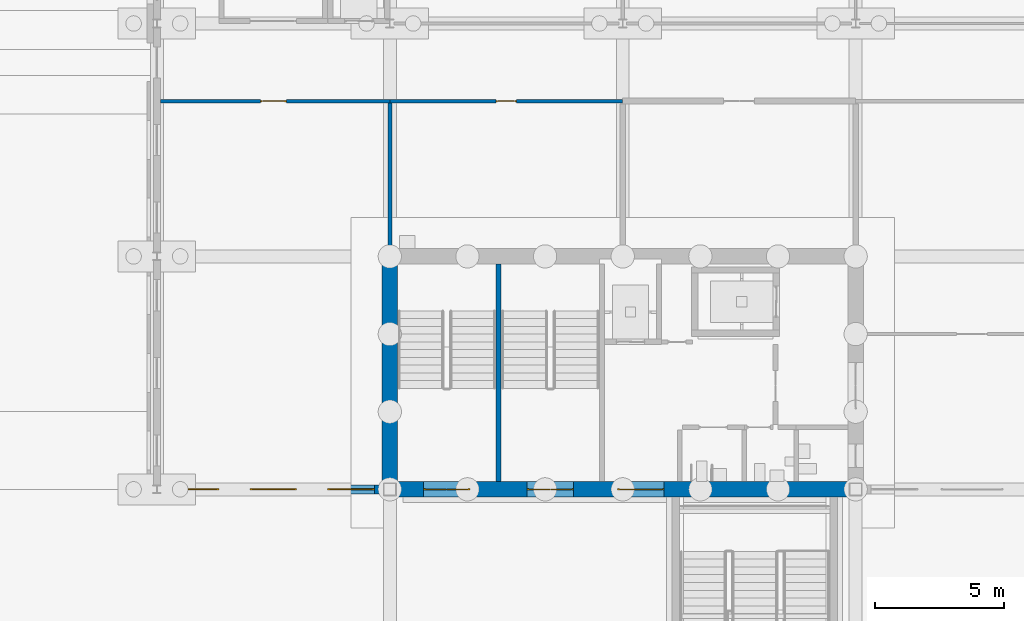
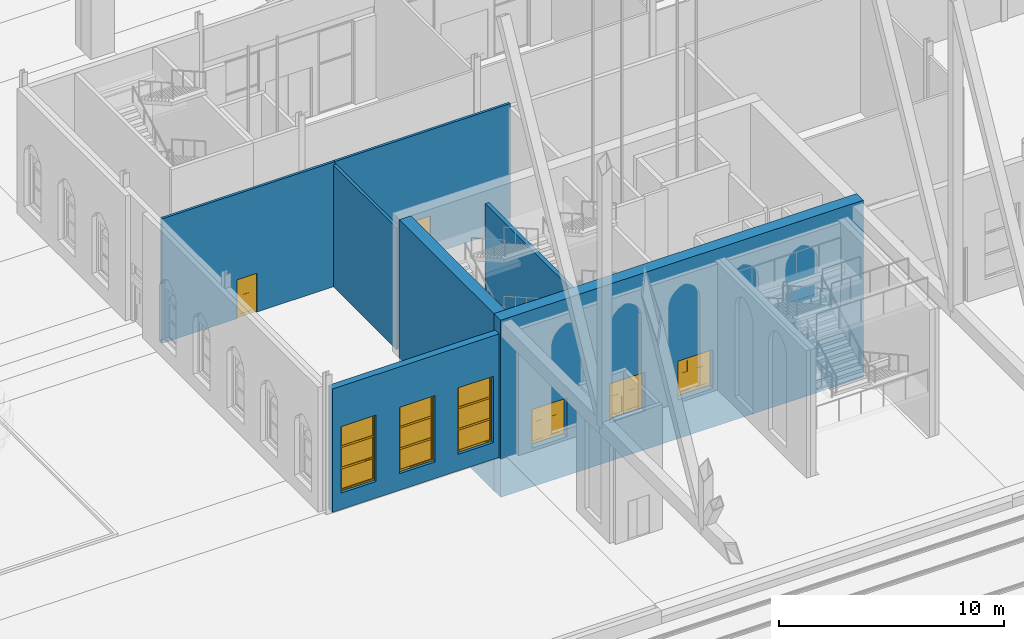
# One storey, part 107 of 250: 7 walls, 5 doors, 3 windows, 8 openings.
"""IFC4 building model written with IfcOpenShell, lengths in metres."""

from ifc_helpers import new_model, si_unit, direction, frame, frame_2d, origin, place, context, subcontext, project, spatial, polyline, rectangle, outline, extrude, material, layer, layer_set, type_object, element, fill, save


model = new_model("IFC4")

# Units and contexts
model_context = context("Model", 3, precision=1e-05, world=origin(), true_north=direction((0.0, 1.0)))
body_context = subcontext(model_context, "Body", "Model", "MODEL_VIEW")
ifc_project = project(units=[si_unit("LENGTHUNIT", "METRE"), si_unit("AREAUNIT", "SQUARE_METRE"), si_unit("VOLUMEUNIT", "CUBIC_METRE"), si_unit("PLANEANGLEUNIT", "RADIAN"), si_unit("MASSUNIT", "GRAM", prefix="KILO")], contexts=[model_context])

# Site, building, storey
site_placement = place(None, origin())
site = spatial("IfcSite", under=ifc_project, at=site_placement, CompositionType="ELEMENT")
building_placement = place(site_placement, origin())
building = spatial("IfcBuilding", under=site, at=building_placement, Name="Baradari Gate Terminus", CompositionType="ELEMENT")
storey_placement = place(building_placement, origin())
storey = spatial("IfcBuildingStorey", under=building, at=storey_placement, Name="L00", CompositionType="ELEMENT", Elevation=0.0)

# Wall, openings, doors
ifc_material_1 = material(Name="Concrete C40/50", Category="concrete")
ifc_layer_1 = layer(ifc_material_1, 0.60009765625)
ifc_layer_set_1 = layer_set([ifc_layer_1], Name="Concrete C40/50")
wall_type_1 = type_object("IfcWallType", Name="Abutment core wall CWL04 600", PredefinedType="SOLIDWALL", material=ifc_layer_set_1)
wall_1_placement = place(storey_placement, frame((71.699951171875, 81.0, -2.10009765625), z_axis=(0.0, 0.0, 1.0), x_axis=(1.0, 0.0, 0.0)))
wall_1 = element("IfcWall", 1, at=wall_1_placement, inside=storey, type_object=wall_type_1, Name="Abutment core wall GN S L00", PredefinedType="SOLIDWALL", context=body_context, shape_type="SweptSolid", body=[
    extrude(rectangle(XDim=18.60009765625, YDim=0.60009765625, at=frame_2d((9.300048828125, 0.0))), origin(), (0.0, 0.0, 1.0), 9.60009765625),
])
opening_1_placement = place(wall_1_placement, frame((1.60009765625, 0.0, 2.10009765625)))
opening_1 = element("IfcOpeningElement", 2, at=opening_1_placement, cuts=wall_1, Name="Opening D00-152", PredefinedType="OPENING", context=body_context, shape_type="SweptSolid", body=[
    extrude(rectangle(XDim=1.800048828125, YDim=2.10009765625, at=frame_2d((0.89990234375, 1.050048828125))), frame((0.0, 0.31005859375, 0.0), z_axis=(0.0, -1.0, 0.0), x_axis=(1.0, 0.0, 0.0)), (0.0, 0.0, 1.0), 0.6201171875),
])
opening_2_placement = place(wall_1_placement, frame((5.60009765625, 0.0, 2.10009765625)))
opening_2 = element("IfcOpeningElement", 3, at=opening_2_placement, cuts=wall_1, Name="Opening D00-153", PredefinedType="OPENING", context=body_context, shape_type="SweptSolid", body=[
    extrude(rectangle(XDim=1.800048828125, YDim=2.10009765625, at=frame_2d((0.89990234375, 1.050048828125))), frame((0.0, 0.31005859375, 0.0), z_axis=(0.0, -1.0, 0.0), x_axis=(1.0, 0.0, 0.0)), (0.0, 0.0, 1.0), 0.6201171875),
])
opening_3_placement = place(wall_1_placement, frame((9.10009765625, 0.0, 2.10009765625)))
opening_3 = element("IfcOpeningElement", 4, at=opening_3_placement, cuts=wall_1, Name="Opening D00-154", PredefinedType="OPENING", context=body_context, shape_type="SweptSolid", body=[
    extrude(rectangle(XDim=1.800048828125, YDim=2.10009765625, at=frame_2d((0.89990234375, 1.050048828125))), frame((0.0, 0.31005859375, 0.0), z_axis=(0.0, -1.0, 0.0), x_axis=(1.0, 0.0, 0.0)), (0.0, 0.0, 1.0), 0.6201171875),
])
ifc_material_2 = material(Name="Steel S275", Category="steel")
door_type_1 = type_object("IfcDoorType", Name="Fire door FI-1800-FD90S 1800x2100 FD90S", OperationType="DOUBLE_DOOR_SINGLE_SWING", PredefinedType="DOOR", material=ifc_material_2)
door_1_placement = place(opening_1_placement, frame((1.800048828125, 0.0, 0.0), z_axis=(0.0, 0.0, 1.0), x_axis=(-1.0, 0.0, 0.0)))
door_1 = element("IfcDoor", 5, at=door_1_placement, inside=storey, type_object=door_type_1, Name="Door Stair (Gate North) 1", OperationType="DOUBLE_DOOR_SINGLE_SWING", OverallHeight=2.1, OverallWidth=1.8, PredefinedType="DOOR", context=body_context, shape_type="SweptSolid", body=[
    extrude(outline(polyline([(0.0, 0.0), (0.070068359375, 0.0), (0.070068359375, 2.030029296875), (1.72998046875, 2.030029296875), (1.72998046875, 0.0), (1.800048828125, 0.0), (1.800048828125, 2.10009765625), (0.0, 2.10009765625), (0.0, 0.0)])), frame((0.0, 0.02490234375, 0.0), z_axis=(0.0, -1.0, 0.0), x_axis=(1.0, 0.0, 0.0)), (0.0, 0.0, 1.0), 0.050048828125),
    extrude(outline(polyline([(0.073974609375, 0.010009765625), (0.89697265625, 0.010009765625), (0.89697265625, 2.026123046875), (0.073974609375, 2.026123046875), (0.073974609375, 0.010009765625)]), holes=[polyline([(0.194091796875, 0.159912109375), (0.77685546875, 0.159912109375), (0.77685546875, 1.010009765625), (0.194091796875, 1.010009765625), (0.194091796875, 0.159912109375)]), polyline([(0.33544921875, 1.159912109375), (0.635498046875, 1.159912109375), (0.635498046875, 1.760009765625), (0.33544921875, 1.760009765625), (0.33544921875, 1.159912109375)])]), frame((0.0, 0.017333984375, 0.0), z_axis=(0.0, -1.0, 0.0), x_axis=(1.0, 0.0, 0.0)), (0.0, 0.0, 1.0), 0.034912109375),
    extrude(rectangle(XDim=0.582763671875, YDim=0.85009765625, at=frame_2d((0.4853515625, 0.5849609375))), frame((0.0, 0.008544921875, 0.0), z_axis=(0.0, -1.0, 0.0), x_axis=(1.0, 0.0, 0.0)), (0.0, 0.0, 1.0), 0.017333984375),
    extrude(rectangle(XDim=0.300048828125, YDim=0.60009765625, at=frame_2d((0.4853515625, 1.4599609375))), frame((0.0, 0.005859375, 0.0), z_axis=(0.0, -1.0, 0.0), x_axis=(1.0, 0.0, 0.0)), (0.0, 0.0, 1.0), 0.011962890625),
    extrude(outline(polyline([(0.903076171875, 0.010009765625), (1.72607421875, 0.010009765625), (1.72607421875, 2.026123046875), (0.903076171875, 2.026123046875), (0.903076171875, 0.010009765625)]), holes=[polyline([(1.023193359375, 0.159912109375), (1.60595703125, 0.159912109375), (1.60595703125, 1.010009765625), (1.023193359375, 1.010009765625), (1.023193359375, 0.159912109375)]), polyline([(1.16455078125, 1.159912109375), (1.464599609375, 1.159912109375), (1.464599609375, 1.760009765625), (1.16455078125, 1.760009765625), (1.16455078125, 1.159912109375)])]), frame((0.0, 0.017333984375, 0.0), z_axis=(0.0, -1.0, 0.0), x_axis=(1.0, 0.0, 0.0)), (0.0, 0.0, 1.0), 0.034912109375),
    extrude(rectangle(XDim=0.582763671875, YDim=0.85009765625, at=frame_2d((1.314453125, 0.5849609375))), frame((0.0, 0.008544921875, 0.0), z_axis=(0.0, -1.0, 0.0), x_axis=(1.0, 0.0, 0.0)), (0.0, 0.0, 1.0), 0.017333984375),
    extrude(rectangle(XDim=0.300048828125, YDim=0.60009765625, at=frame_2d((1.314453125, 1.4599609375))), frame((0.0, 0.005859375, 0.0), z_axis=(0.0, -1.0, 0.0), x_axis=(1.0, 0.0, 0.0)), (0.0, 0.0, 1.0), 0.011962890625),
])
fill(opening_1, door_1)
door_2_placement = place(opening_2_placement, frame((1.800048828125, 0.0, 0.0), z_axis=(0.0, 0.0, 1.0), x_axis=(-1.0, 0.0, 0.0)))
door_2 = element("IfcDoor", 6, at=door_2_placement, inside=storey, type_object=door_type_1, Name="Door Stair (Gate North) 2", OperationType="DOUBLE_DOOR_SINGLE_SWING", OverallHeight=2.1, OverallWidth=1.8, PredefinedType="DOOR", context=body_context, shape_type="SweptSolid", body=[
    extrude(outline(polyline([(0.0, 0.0), (0.070068359375, 0.0), (0.070068359375, 2.030029296875), (1.72998046875, 2.030029296875), (1.72998046875, 0.0), (1.800048828125, 0.0), (1.800048828125, 2.10009765625), (0.0, 2.10009765625), (0.0, 0.0)])), frame((0.0, 0.02490234375, 0.0), z_axis=(0.0, -1.0, 0.0), x_axis=(1.0, 0.0, 0.0)), (0.0, 0.0, 1.0), 0.050048828125),
    extrude(outline(polyline([(0.073974609375, 0.010009765625), (0.89697265625, 0.010009765625), (0.89697265625, 2.026123046875), (0.073974609375, 2.026123046875), (0.073974609375, 0.010009765625)]), holes=[polyline([(0.194091796875, 0.159912109375), (0.77685546875, 0.159912109375), (0.77685546875, 1.010009765625), (0.194091796875, 1.010009765625), (0.194091796875, 0.159912109375)]), polyline([(0.33544921875, 1.159912109375), (0.635498046875, 1.159912109375), (0.635498046875, 1.760009765625), (0.33544921875, 1.760009765625), (0.33544921875, 1.159912109375)])]), frame((0.0, 0.017333984375, 0.0), z_axis=(0.0, -1.0, 0.0), x_axis=(1.0, 0.0, 0.0)), (0.0, 0.0, 1.0), 0.034912109375),
    extrude(rectangle(XDim=0.582763671875, YDim=0.85009765625, at=frame_2d((0.4853515625, 0.5849609375))), frame((0.0, 0.008544921875, 0.0), z_axis=(0.0, -1.0, 0.0), x_axis=(1.0, 0.0, 0.0)), (0.0, 0.0, 1.0), 0.017333984375),
    extrude(rectangle(XDim=0.300048828125, YDim=0.60009765625, at=frame_2d((0.4853515625, 1.4599609375))), frame((0.0, 0.005859375, 0.0), z_axis=(0.0, -1.0, 0.0), x_axis=(1.0, 0.0, 0.0)), (0.0, 0.0, 1.0), 0.011962890625),
    extrude(outline(polyline([(0.903076171875, 0.010009765625), (1.72607421875, 0.010009765625), (1.72607421875, 2.026123046875), (0.903076171875, 2.026123046875), (0.903076171875, 0.010009765625)]), holes=[polyline([(1.023193359375, 0.159912109375), (1.60595703125, 0.159912109375), (1.60595703125, 1.010009765625), (1.023193359375, 1.010009765625), (1.023193359375, 0.159912109375)]), polyline([(1.16455078125, 1.159912109375), (1.464599609375, 1.159912109375), (1.464599609375, 1.760009765625), (1.16455078125, 1.760009765625), (1.16455078125, 1.159912109375)])]), frame((0.0, 0.017333984375, 0.0), z_axis=(0.0, -1.0, 0.0), x_axis=(1.0, 0.0, 0.0)), (0.0, 0.0, 1.0), 0.034912109375),
    extrude(rectangle(XDim=0.582763671875, YDim=0.85009765625, at=frame_2d((1.314453125, 0.5849609375))), frame((0.0, 0.008544921875, 0.0), z_axis=(0.0, -1.0, 0.0), x_axis=(1.0, 0.0, 0.0)), (0.0, 0.0, 1.0), 0.017333984375),
    extrude(rectangle(XDim=0.300048828125, YDim=0.60009765625, at=frame_2d((1.314453125, 1.4599609375))), frame((0.0, 0.005859375, 0.0), z_axis=(0.0, -1.0, 0.0), x_axis=(1.0, 0.0, 0.0)), (0.0, 0.0, 1.0), 0.011962890625),
])
fill(opening_2, door_2)
door_3_placement = place(opening_3_placement, origin())
door_3 = element("IfcDoor", 7, at=door_3_placement, inside=storey, type_object=door_type_1, Name="Door Lift Lobby", OperationType="DOUBLE_DOOR_SINGLE_SWING", OverallHeight=2.1, OverallWidth=1.8, PredefinedType="DOOR", context=body_context, shape_type="SweptSolid", body=[
    extrude(outline(polyline([(0.0, 0.0), (0.070068359375, 0.0), (0.070068359375, 2.030029296875), (1.72998046875, 2.030029296875), (1.72998046875, 0.0), (1.800048828125, 0.0), (1.800048828125, 2.10009765625), (0.0, 2.10009765625), (0.0, 0.0)])), frame((0.0, 0.02490234375, 0.0), z_axis=(0.0, -1.0, 0.0), x_axis=(1.0, 0.0, 0.0)), (0.0, 0.0, 1.0), 0.050048828125),
    extrude(outline(polyline([(0.073974609375, 0.010009765625), (0.89697265625, 0.010009765625), (0.89697265625, 2.026123046875), (0.073974609375, 2.026123046875), (0.073974609375, 0.010009765625)]), holes=[polyline([(0.194091796875, 0.159912109375), (0.77685546875, 0.159912109375), (0.77685546875, 1.010009765625), (0.194091796875, 1.010009765625), (0.194091796875, 0.159912109375)]), polyline([(0.33544921875, 1.159912109375), (0.635498046875, 1.159912109375), (0.635498046875, 1.760009765625), (0.33544921875, 1.760009765625), (0.33544921875, 1.159912109375)])]), frame((0.0, 0.017333984375, 0.0), z_axis=(0.0, -1.0, 0.0), x_axis=(1.0, 0.0, 0.0)), (0.0, 0.0, 1.0), 0.034912109375),
    extrude(rectangle(XDim=0.582763671875, YDim=0.85009765625, at=frame_2d((0.4853515625, 0.5849609375))), frame((0.0, 0.008544921875, 0.0), z_axis=(0.0, -1.0, 0.0), x_axis=(1.0, 0.0, 0.0)), (0.0, 0.0, 1.0), 0.017333984375),
    extrude(rectangle(XDim=0.300048828125, YDim=0.60009765625, at=frame_2d((0.4853515625, 1.4599609375))), frame((0.0, 0.005859375, 0.0), z_axis=(0.0, -1.0, 0.0), x_axis=(1.0, 0.0, 0.0)), (0.0, 0.0, 1.0), 0.011962890625),
    extrude(outline(polyline([(0.903076171875, 0.010009765625), (1.72607421875, 0.010009765625), (1.72607421875, 2.026123046875), (0.903076171875, 2.026123046875), (0.903076171875, 0.010009765625)]), holes=[polyline([(1.023193359375, 0.159912109375), (1.60595703125, 0.159912109375), (1.60595703125, 1.010009765625), (1.023193359375, 1.010009765625), (1.023193359375, 0.159912109375)]), polyline([(1.16455078125, 1.159912109375), (1.464599609375, 1.159912109375), (1.464599609375, 1.760009765625), (1.16455078125, 1.760009765625), (1.16455078125, 1.159912109375)])]), frame((0.0, 0.017333984375, 0.0), z_axis=(0.0, -1.0, 0.0), x_axis=(1.0, 0.0, 0.0)), (0.0, 0.0, 1.0), 0.034912109375),
    extrude(rectangle(XDim=0.582763671875, YDim=0.85009765625, at=frame_2d((1.314453125, 0.5849609375))), frame((0.0, 0.008544921875, 0.0), z_axis=(0.0, -1.0, 0.0), x_axis=(1.0, 0.0, 0.0)), (0.0, 0.0, 1.0), 0.017333984375),
    extrude(rectangle(XDim=0.300048828125, YDim=0.60009765625, at=frame_2d((1.314453125, 1.4599609375))), frame((0.0, 0.005859375, 0.0), z_axis=(0.0, -1.0, 0.0), x_axis=(1.0, 0.0, 0.0)), (0.0, 0.0, 1.0), 0.011962890625),
])
fill(opening_3, door_3)

# Wall
wall_2_placement = place(storey_placement, frame((72.0, 81.300048828125, -2.10009765625), z_axis=(0.0, 0.0, 1.0), x_axis=(0.0, 1.0, 0.0)))
element("IfcWall", 8, at=wall_2_placement, inside=storey, type_object=wall_type_1, Name="Abutment core wall GN W L00", PredefinedType="SOLIDWALL", context=body_context, shape_type="SweptSolid", body=[
    extrude(rectangle(XDim=8.39990234375, YDim=0.60009765625, at=frame_2d((4.199951171875, 0.0))), origin(), (0.0, 0.0, 1.0), 9.60009765625),
])

# Wall, opening, door
ifc_material_3 = material(Name="Gypsum board")
ifc_layer_2 = layer(ifc_material_3, 0.125)
ifc_layer_set_2 = layer_set([ifc_layer_2], Name="Gypsum board")
wall_type_2 = type_object("IfcWallType", Name="Corridor partition PT-5 125 EI 30", PredefinedType="PARTITIONING", material=ifc_layer_set_2)
wall_3_placement = place(storey_placement, frame((72.0, 96.0, 0.0), z_axis=(0.0, 0.0, 1.0), x_axis=(-1.0, 0.0, 0.0)))
wall_3 = element("IfcWall", 9, at=wall_3_placement, inside=storey, type_object=wall_type_2, Name="PT-5 partition Corridor (Service Corridor West) / Staff Room 1", PredefinedType="PARTITIONING", context=body_context, shape_type="SweptSolid", body=[
    extrude(rectangle(XDim=8.85791015625, YDim=0.125, at=frame_2d((4.428955078125, 0.0))), origin(), (0.0, 0.0, 1.0), 6.757080078125),
])
opening_4_placement = place(wall_3_placement, frame((4.0, 0.0, 0.0)))
opening_4 = element("IfcOpeningElement", 10, at=opening_4_placement, cuts=wall_3, Name="Opening D00-101", PredefinedType="OPENING", context=body_context, shape_type="SweptSolid", body=[
    extrude(rectangle(XDim=1.0, YDim=2.10009765625, at=frame_2d((0.5, 1.050048828125))), frame((0.0, 0.072509765625, 0.0), z_axis=(0.0, -1.0, 0.0), x_axis=(1.0, 0.0, 0.0)), (0.0, 0.0, 1.0), 0.14501953125),
])
ifc_material_4 = material(Name="Steel S275", Category="steel")
door_type_2 = type_object("IfcDoorType", Name="Fire door FI-1000-FD30S 1000x2100 FD30S", OperationType="SINGLE_SWING_LEFT", PredefinedType="DOOR", material=ifc_material_4)
door_4_placement = place(opening_4_placement, origin())
door_4 = element("IfcDoor", 11, at=door_4_placement, inside=storey, type_object=door_type_2, Name="Door Staff Room 1", OperationType="SINGLE_SWING_LEFT", OverallHeight=2.1, OverallWidth=1.0, PredefinedType="DOOR", context=body_context, shape_type="SweptSolid", body=[
    extrude(outline(polyline([(0.0, 0.0), (0.070068359375, 0.0), (0.070068359375, 2.030029296875), (0.929931640625, 2.030029296875), (0.929931640625, 0.0), (1.0, 0.0), (1.0, 2.10009765625), (0.0, 2.10009765625), (0.0, 0.0)])), frame((0.0, 0.02490234375, 0.0), z_axis=(0.0, -1.0, 0.0), x_axis=(1.0, 0.0, 0.0)), (0.0, 0.0, 1.0), 0.050048828125),
    extrude(outline(polyline([(0.073974609375, 0.010009765625), (0.926025390625, 0.010009765625), (0.926025390625, 2.026123046875), (0.073974609375, 2.026123046875), (0.073974609375, 0.010009765625)]), holes=[polyline([(0.194091796875, 0.159912109375), (0.805908203125, 0.159912109375), (0.805908203125, 1.010009765625), (0.194091796875, 1.010009765625), (0.194091796875, 0.159912109375)]), polyline([(0.35009765625, 1.159912109375), (0.64990234375, 1.159912109375), (0.64990234375, 1.760009765625), (0.35009765625, 1.760009765625), (0.35009765625, 1.159912109375)])]), frame((0.0, 0.017333984375, 0.0), z_axis=(0.0, -1.0, 0.0), x_axis=(1.0, 0.0, 0.0)), (0.0, 0.0, 1.0), 0.034912109375),
    extrude(rectangle(XDim=0.61181640625, YDim=0.85009765625, at=frame_2d((0.5, 0.5849609375))), frame((0.0, 0.008544921875, 0.0), z_axis=(0.0, -1.0, 0.0), x_axis=(1.0, 0.0, 0.0)), (0.0, 0.0, 1.0), 0.017333984375),
    extrude(rectangle(XDim=0.2998046875, YDim=0.60009765625, at=frame_2d((0.5, 1.4599609375))), frame((0.0, 0.005859375, 0.0), z_axis=(0.0, -1.0, 0.0), x_axis=(1.0, 0.0, 0.0)), (0.0, 0.0, 1.0), 0.011962890625),
])
fill(opening_4, door_4)

wall_4_placement = place(storey_placement, frame((81.0, 96.0, 0.0), z_axis=(0.0, 0.0, 1.0), x_axis=(-1.0, 0.0, 0.0)))
wall_4 = element("IfcWall", 12, at=wall_4_placement, inside=storey, type_object=wall_type_2, Name="PT-5 partition Corridor (Service Corridor West) / Cleaner's Store 1", PredefinedType="PARTITIONING", context=body_context, shape_type="SweptSolid", body=[
    extrude(rectangle(XDim=9.0, YDim=0.125, at=frame_2d((4.5, 0.0))), origin(), (0.0, 0.0, 1.0), 6.757080078125),
])
opening_5_placement = place(wall_4_placement, frame((4.10009765625, 0.0, 0.0)))
opening_5 = element("IfcOpeningElement", 13, at=opening_5_placement, cuts=wall_4, Name="Opening D00-102", PredefinedType="OPENING", context=body_context, shape_type="SweptSolid", body=[
    extrude(rectangle(XDim=0.800048828125, YDim=2.10009765625, at=frame_2d((0.39990234375, 1.050048828125))), frame((0.0, 0.072509765625, 0.0), z_axis=(0.0, -1.0, 0.0), x_axis=(1.0, 0.0, 0.0)), (0.0, 0.0, 1.0), 0.14501953125),
])
ifc_material_5 = material(Name="Steel S275", Category="steel")
door_type_3 = type_object("IfcDoorType", Name="Fire door FI-800-FD30S 800x2100 FD30S", OperationType="SINGLE_SWING_LEFT", PredefinedType="DOOR", material=ifc_material_5)
door_5_placement = place(opening_5_placement, origin())
door_5 = element("IfcDoor", 14, at=door_5_placement, inside=storey, type_object=door_type_3, Name="Door Cleaner's Store 1", OperationType="SINGLE_SWING_LEFT", OverallHeight=2.1, OverallWidth=0.8, PredefinedType="DOOR", context=body_context, shape_type="SweptSolid", body=[
    extrude(outline(polyline([(0.0, 0.0), (0.070068359375, 0.0), (0.070068359375, 2.030029296875), (0.72998046875, 2.030029296875), (0.72998046875, 0.0), (0.800048828125, 0.0), (0.800048828125, 2.10009765625), (0.0, 2.10009765625), (0.0, 0.0)])), frame((0.0, 0.02490234375, 0.0), z_axis=(0.0, -1.0, 0.0), x_axis=(1.0, 0.0, 0.0)), (0.0, 0.0, 1.0), 0.050048828125),
    extrude(outline(polyline([(0.073974609375, 0.010009765625), (0.72607421875, 0.010009765625), (0.72607421875, 2.026123046875), (0.073974609375, 2.026123046875), (0.073974609375, 0.010009765625)]), holes=[polyline([(0.194091796875, 0.159912109375), (0.60595703125, 0.159912109375), (0.60595703125, 1.010009765625), (0.194091796875, 1.010009765625), (0.194091796875, 0.159912109375)]), polyline([(0.25, 1.159912109375), (0.550048828125, 1.159912109375), (0.550048828125, 1.760009765625), (0.25, 1.760009765625), (0.25, 1.159912109375)])]), frame((0.0, 0.017333984375, 0.0), z_axis=(0.0, -1.0, 0.0), x_axis=(1.0, 0.0, 0.0)), (0.0, 0.0, 1.0), 0.034912109375),
    extrude(rectangle(XDim=0.411865234375, YDim=0.85009765625, at=frame_2d((0.39990234375, 0.5849609375))), frame((0.0, 0.008544921875, 0.0), z_axis=(0.0, -1.0, 0.0), x_axis=(1.0, 0.0, 0.0)), (0.0, 0.0, 1.0), 0.017333984375),
    extrude(rectangle(XDim=0.300048828125, YDim=0.60009765625, at=frame_2d((0.39990234375, 1.4599609375))), frame((0.0, 0.005859375, 0.0), z_axis=(0.0, -1.0, 0.0), x_axis=(1.0, 0.0, 0.0)), (0.0, 0.0, 1.0), 0.011962890625),
])
fill(opening_5, door_5)

# Wall
ifc_material_6 = material(Name="Blockwork wall, plastered", Category="masonry")
ifc_layer_3 = layer(ifc_material_6, 0.14990234375)
ifc_layer_set_3 = layer_set([ifc_layer_3], Name="Blockwork wall, plastered")
wall_type_3 = type_object("IfcWallType", Name="Partition PT-2 150 EI 60", PredefinedType="PARTITIONING", material=ifc_layer_set_3)
wall_5_placement = place(storey_placement, frame((72.0, 95.9375, 0.0), z_axis=(0.0, 0.0, 1.0), x_axis=(0.0, -1.0, 0.0)))
element("IfcWall", 15, at=wall_5_placement, inside=storey, type_object=wall_type_3, Name="PT-2 partition Staff Room 1 / Cleaner's Store 1", PredefinedType="PARTITIONING", context=body_context, shape_type="SweptSolid", body=[
    extrude(rectangle(XDim=5.635498046875, YDim=0.14990234375, at=frame_2d((2.81787109375, 0.0))), origin(), (0.0, 0.0, 1.0), 6.60009765625),
])

# Wall, openings, windows
ifc_material_7 = material(Name="Sandstone masonry", Category="masonry")
ifc_layer_4 = layer(ifc_material_7, 0.35009765625)
ifc_layer_set_4 = layer_set([ifc_layer_4], Name="Sandstone masonry")
wall_type_4 = type_object("IfcWallType", Name="Sandstone masonry wall WS-1 350", PredefinedType="SOLIDWALL", material=ifc_layer_set_4)
wall_6_placement = place(storey_placement, frame((63.15380859375, 81.0, 0.0), z_axis=(0.0, 0.0, 1.0), x_axis=(1.0, 0.0, 0.0)))
wall_6 = element("IfcWall", 16, at=wall_6_placement, inside=storey, type_object=wall_type_4, Name="platform side wall HS bay 8 L00", PredefinedType="SOLIDWALL", context=body_context, shape_type="SweptSolid", body=[
    extrude(rectangle(XDim=8.59619140625, YDim=0.35009765625, at=frame_2d((4.298095703125, 0.0))), origin(), (0.0, 0.0, 1.0), 6.692138671875),
])
opening_6_placement = place(wall_6_placement, frame((0.4462890625, 0.0, 0.89990234375)))
opening_6 = element("IfcOpeningElement", 17, at=opening_6_placement, cuts=wall_6, Name="Opening W3", PredefinedType="OPENING", context=body_context, shape_type="SweptSolid", body=[
    extrude(rectangle(XDim=1.800048828125, YDim=3.60009765625, at=frame_2d((0.89990234375, 1.800048828125))), frame((0.0, 0.18505859375, 0.0), z_axis=(0.0, -1.0, 0.0), x_axis=(1.0, 0.0, 0.0)), (0.0, 0.0, 1.0), 0.3701171875),
])
opening_7_placement = place(wall_6_placement, frame((3.4462890625, 0.0, 0.89990234375)))
opening_7 = element("IfcOpeningElement", 18, at=opening_7_placement, cuts=wall_6, Name="Opening W3", PredefinedType="OPENING", context=body_context, shape_type="SweptSolid", body=[
    extrude(rectangle(XDim=1.800048828125, YDim=3.60009765625, at=frame_2d((0.89990234375, 1.800048828125))), frame((0.0, 0.18505859375, 0.0), z_axis=(0.0, -1.0, 0.0), x_axis=(1.0, 0.0, 0.0)), (0.0, 0.0, 1.0), 0.3701171875),
])
opening_8_placement = place(wall_6_placement, frame((6.4462890625, 0.0, 0.89990234375)))
opening_8 = element("IfcOpeningElement", 19, at=opening_8_placement, cuts=wall_6, Name="Opening W3", PredefinedType="OPENING", context=body_context, shape_type="SweptSolid", body=[
    extrude(rectangle(XDim=1.800048828125, YDim=3.60009765625, at=frame_2d((0.89990234375, 1.800048828125))), frame((0.0, 0.18505859375, 0.0), z_axis=(0.0, -1.0, 0.0), x_axis=(1.0, 0.0, 0.0)), (0.0, 0.0, 1.0), 0.3701171875),
])
ifc_material_8 = material(Name="Aluminium 6063-T6", Category="aluminium")
window_type = type_object("IfcWindowType", Name="Tall window, 3-light W3 1800x3600", PartitioningType="TRIPLE_PANEL_HORIZONTAL", PredefinedType="WINDOW", material=ifc_material_8)
window_1_placement = place(opening_6_placement, origin())
window_1 = element("IfcWindow", 20, at=window_1_placement, inside=storey, type_object=window_type, Name="Window W3 HS/07", OverallHeight=3.6, OverallWidth=1.8, PartitioningType="TRIPLE_PANEL_HORIZONTAL", PredefinedType="WINDOW", context=body_context, shape_type="SweptSolid", body=[
    extrude(outline(polyline([(0.0, 0.0), (1.800048828125, 0.0), (1.800048828125, 3.60009765625), (0.0, 3.60009765625), (0.0, 0.0)]), holes=[polyline([(0.070068359375, 0.070068359375), (1.72998046875, 0.070068359375), (1.72998046875, 3.530029296875), (0.070068359375, 3.530029296875), (0.070068359375, 0.070068359375)])]), frame((0.0, 0.030029296875, 0.0), z_axis=(0.0, -1.0, 0.0), x_axis=(1.0, 0.0, 0.0)), (0.0, 0.0, 1.0), 0.06005859375),
    extrude(rectangle(XDim=1.659912109375, YDim=0.0400390625, at=frame_2d((0.89990234375, 1.216796875))), frame((0.0, 0.021484375, 0.0), z_axis=(0.0, -1.0, 0.0), x_axis=(1.0, 0.0, 0.0)), (0.0, 0.0, 1.0), 0.04296875),
    extrude(rectangle(XDim=1.659912109375, YDim=0.0400390625, at=frame_2d((0.89990234375, 2.38330078125))), frame((0.0, 0.021484375, 0.0), z_axis=(0.0, -1.0, 0.0), x_axis=(1.0, 0.0, 0.0)), (0.0, 0.0, 1.0), 0.04296875),
    extrude(outline(polyline([(0.070068359375, 0.070068359375), (1.72998046875, 0.070068359375), (1.72998046875, 1.19677734375), (0.070068359375, 1.19677734375), (0.070068359375, 0.070068359375)]), holes=[polyline([(0.10009765625, 0.10009765625), (1.699951171875, 0.10009765625), (1.699951171875, 1.166748046875), (0.10009765625, 1.166748046875), (0.10009765625, 0.10009765625)])]), frame((0.0, 0.0224609375, 0.0), z_axis=(0.0, -1.0, 0.0), x_axis=(1.0, 0.0, 0.0)), (0.0, 0.0, 1.0), 0.044921875),
    extrude(rectangle(XDim=1.599853515625, YDim=1.066650390625, at=frame_2d((0.89990234375, 0.63330078125))), frame((0.0, 0.006103515625, 0.0), z_axis=(0.0, -1.0, 0.0), x_axis=(1.0, 0.0, 0.0)), (0.0, 0.0, 1.0), 0.01220703125),
    extrude(outline(polyline([(0.070068359375, 1.23681640625), (1.72998046875, 1.23681640625), (1.72998046875, 2.36328125), (0.070068359375, 2.36328125), (0.070068359375, 1.23681640625)]), holes=[polyline([(0.10009765625, 1.266845703125), (1.699951171875, 1.266845703125), (1.699951171875, 2.333251953125), (0.10009765625, 2.333251953125), (0.10009765625, 1.266845703125)])]), frame((0.0, 0.0224609375, 0.0), z_axis=(0.0, -1.0, 0.0), x_axis=(1.0, 0.0, 0.0)), (0.0, 0.0, 1.0), 0.044921875),
    extrude(rectangle(XDim=1.599853515625, YDim=1.06640625, at=frame_2d((0.89990234375, 1.800048828125))), frame((0.0, 0.006103515625, 0.0), z_axis=(0.0, -1.0, 0.0), x_axis=(1.0, 0.0, 0.0)), (0.0, 0.0, 1.0), 0.01220703125),
    extrude(outline(polyline([(0.070068359375, 2.4033203125), (1.72998046875, 2.4033203125), (1.72998046875, 3.530029296875), (0.070068359375, 3.530029296875), (0.070068359375, 2.4033203125)]), holes=[polyline([(0.10009765625, 2.433349609375), (1.699951171875, 2.433349609375), (1.699951171875, 3.5), (0.10009765625, 3.5), (0.10009765625, 2.433349609375)])]), frame((0.0, 0.0224609375, 0.0), z_axis=(0.0, -1.0, 0.0), x_axis=(1.0, 0.0, 0.0)), (0.0, 0.0, 1.0), 0.044921875),
    extrude(rectangle(XDim=1.599853515625, YDim=1.066650390625, at=frame_2d((0.89990234375, 2.966796875))), frame((0.0, 0.006103515625, 0.0), z_axis=(0.0, -1.0, 0.0), x_axis=(1.0, 0.0, 0.0)), (0.0, 0.0, 1.0), 0.01220703125),
])
fill(opening_6, window_1)
window_2_placement = place(opening_7_placement, origin())
window_2 = element("IfcWindow", 21, at=window_2_placement, inside=storey, type_object=window_type, Name="Window W3 HS/07", OverallHeight=3.6, OverallWidth=1.8, PartitioningType="TRIPLE_PANEL_HORIZONTAL", PredefinedType="WINDOW", context=body_context, shape_type="SweptSolid", body=[
    extrude(outline(polyline([(0.0, 0.0), (1.800048828125, 0.0), (1.800048828125, 3.60009765625), (0.0, 3.60009765625), (0.0, 0.0)]), holes=[polyline([(0.070068359375, 0.070068359375), (1.72998046875, 0.070068359375), (1.72998046875, 3.530029296875), (0.070068359375, 3.530029296875), (0.070068359375, 0.070068359375)])]), frame((0.0, 0.030029296875, 0.0), z_axis=(0.0, -1.0, 0.0), x_axis=(1.0, 0.0, 0.0)), (0.0, 0.0, 1.0), 0.06005859375),
    extrude(rectangle(XDim=1.659912109375, YDim=0.0400390625, at=frame_2d((0.89990234375, 1.216796875))), frame((0.0, 0.021484375, 0.0), z_axis=(0.0, -1.0, 0.0), x_axis=(1.0, 0.0, 0.0)), (0.0, 0.0, 1.0), 0.04296875),
    extrude(rectangle(XDim=1.659912109375, YDim=0.0400390625, at=frame_2d((0.89990234375, 2.38330078125))), frame((0.0, 0.021484375, 0.0), z_axis=(0.0, -1.0, 0.0), x_axis=(1.0, 0.0, 0.0)), (0.0, 0.0, 1.0), 0.04296875),
    extrude(outline(polyline([(0.070068359375, 0.070068359375), (1.72998046875, 0.070068359375), (1.72998046875, 1.19677734375), (0.070068359375, 1.19677734375), (0.070068359375, 0.070068359375)]), holes=[polyline([(0.10009765625, 0.10009765625), (1.699951171875, 0.10009765625), (1.699951171875, 1.166748046875), (0.10009765625, 1.166748046875), (0.10009765625, 0.10009765625)])]), frame((0.0, 0.0224609375, 0.0), z_axis=(0.0, -1.0, 0.0), x_axis=(1.0, 0.0, 0.0)), (0.0, 0.0, 1.0), 0.044921875),
    extrude(rectangle(XDim=1.599853515625, YDim=1.066650390625, at=frame_2d((0.89990234375, 0.63330078125))), frame((0.0, 0.006103515625, 0.0), z_axis=(0.0, -1.0, 0.0), x_axis=(1.0, 0.0, 0.0)), (0.0, 0.0, 1.0), 0.01220703125),
    extrude(outline(polyline([(0.070068359375, 1.23681640625), (1.72998046875, 1.23681640625), (1.72998046875, 2.36328125), (0.070068359375, 2.36328125), (0.070068359375, 1.23681640625)]), holes=[polyline([(0.10009765625, 1.266845703125), (1.699951171875, 1.266845703125), (1.699951171875, 2.333251953125), (0.10009765625, 2.333251953125), (0.10009765625, 1.266845703125)])]), frame((0.0, 0.0224609375, 0.0), z_axis=(0.0, -1.0, 0.0), x_axis=(1.0, 0.0, 0.0)), (0.0, 0.0, 1.0), 0.044921875),
    extrude(rectangle(XDim=1.599853515625, YDim=1.06640625, at=frame_2d((0.89990234375, 1.800048828125))), frame((0.0, 0.006103515625, 0.0), z_axis=(0.0, -1.0, 0.0), x_axis=(1.0, 0.0, 0.0)), (0.0, 0.0, 1.0), 0.01220703125),
    extrude(outline(polyline([(0.070068359375, 2.4033203125), (1.72998046875, 2.4033203125), (1.72998046875, 3.530029296875), (0.070068359375, 3.530029296875), (0.070068359375, 2.4033203125)]), holes=[polyline([(0.10009765625, 2.433349609375), (1.699951171875, 2.433349609375), (1.699951171875, 3.5), (0.10009765625, 3.5), (0.10009765625, 2.433349609375)])]), frame((0.0, 0.0224609375, 0.0), z_axis=(0.0, -1.0, 0.0), x_axis=(1.0, 0.0, 0.0)), (0.0, 0.0, 1.0), 0.044921875),
    extrude(rectangle(XDim=1.599853515625, YDim=1.066650390625, at=frame_2d((0.89990234375, 2.966796875))), frame((0.0, 0.006103515625, 0.0), z_axis=(0.0, -1.0, 0.0), x_axis=(1.0, 0.0, 0.0)), (0.0, 0.0, 1.0), 0.01220703125),
])
fill(opening_7, window_2)
window_3_placement = place(opening_8_placement, origin())
window_3 = element("IfcWindow", 22, at=window_3_placement, inside=storey, type_object=window_type, Name="Window W3 HS/07", OverallHeight=3.6, OverallWidth=1.8, PartitioningType="TRIPLE_PANEL_HORIZONTAL", PredefinedType="WINDOW", context=body_context, shape_type="SweptSolid", body=[
    extrude(outline(polyline([(0.0, 0.0), (1.800048828125, 0.0), (1.800048828125, 3.60009765625), (0.0, 3.60009765625), (0.0, 0.0)]), holes=[polyline([(0.070068359375, 0.070068359375), (1.72998046875, 0.070068359375), (1.72998046875, 3.530029296875), (0.070068359375, 3.530029296875), (0.070068359375, 0.070068359375)])]), frame((0.0, 0.030029296875, 0.0), z_axis=(0.0, -1.0, 0.0), x_axis=(1.0, 0.0, 0.0)), (0.0, 0.0, 1.0), 0.06005859375),
    extrude(rectangle(XDim=1.659912109375, YDim=0.0400390625, at=frame_2d((0.89990234375, 1.216796875))), frame((0.0, 0.021484375, 0.0), z_axis=(0.0, -1.0, 0.0), x_axis=(1.0, 0.0, 0.0)), (0.0, 0.0, 1.0), 0.04296875),
    extrude(rectangle(XDim=1.659912109375, YDim=0.0400390625, at=frame_2d((0.89990234375, 2.38330078125))), frame((0.0, 0.021484375, 0.0), z_axis=(0.0, -1.0, 0.0), x_axis=(1.0, 0.0, 0.0)), (0.0, 0.0, 1.0), 0.04296875),
    extrude(outline(polyline([(0.070068359375, 0.070068359375), (1.72998046875, 0.070068359375), (1.72998046875, 1.19677734375), (0.070068359375, 1.19677734375), (0.070068359375, 0.070068359375)]), holes=[polyline([(0.10009765625, 0.10009765625), (1.699951171875, 0.10009765625), (1.699951171875, 1.166748046875), (0.10009765625, 1.166748046875), (0.10009765625, 0.10009765625)])]), frame((0.0, 0.0224609375, 0.0), z_axis=(0.0, -1.0, 0.0), x_axis=(1.0, 0.0, 0.0)), (0.0, 0.0, 1.0), 0.044921875),
    extrude(rectangle(XDim=1.599853515625, YDim=1.066650390625, at=frame_2d((0.89990234375, 0.63330078125))), frame((0.0, 0.006103515625, 0.0), z_axis=(0.0, -1.0, 0.0), x_axis=(1.0, 0.0, 0.0)), (0.0, 0.0, 1.0), 0.01220703125),
    extrude(outline(polyline([(0.070068359375, 1.23681640625), (1.72998046875, 1.23681640625), (1.72998046875, 2.36328125), (0.070068359375, 2.36328125), (0.070068359375, 1.23681640625)]), holes=[polyline([(0.10009765625, 1.266845703125), (1.699951171875, 1.266845703125), (1.699951171875, 2.333251953125), (0.10009765625, 2.333251953125), (0.10009765625, 1.266845703125)])]), frame((0.0, 0.0224609375, 0.0), z_axis=(0.0, -1.0, 0.0), x_axis=(1.0, 0.0, 0.0)), (0.0, 0.0, 1.0), 0.044921875),
    extrude(rectangle(XDim=1.599853515625, YDim=1.06640625, at=frame_2d((0.89990234375, 1.800048828125))), frame((0.0, 0.006103515625, 0.0), z_axis=(0.0, -1.0, 0.0), x_axis=(1.0, 0.0, 0.0)), (0.0, 0.0, 1.0), 0.01220703125),
    extrude(outline(polyline([(0.070068359375, 2.4033203125), (1.72998046875, 2.4033203125), (1.72998046875, 3.530029296875), (0.070068359375, 3.530029296875), (0.070068359375, 2.4033203125)]), holes=[polyline([(0.10009765625, 2.433349609375), (1.699951171875, 2.433349609375), (1.699951171875, 3.5), (0.10009765625, 3.5), (0.10009765625, 2.433349609375)])]), frame((0.0, 0.0224609375, 0.0), z_axis=(0.0, -1.0, 0.0), x_axis=(1.0, 0.0, 0.0)), (0.0, 0.0, 1.0), 0.044921875),
    extrude(rectangle(XDim=1.599853515625, YDim=1.066650390625, at=frame_2d((0.89990234375, 2.966796875))), frame((0.0, 0.006103515625, 0.0), z_axis=(0.0, -1.0, 0.0), x_axis=(1.0, 0.0, 0.0)), (0.0, 0.0, 1.0), 0.01220703125),
])
fill(opening_8, window_3)

# Wall
ifc_material_9 = material(Name="Concrete C40/50", Category="concrete")
ifc_layer_5 = layer(ifc_material_9, 0.199951171875)
ifc_layer_set_5 = layer_set([ifc_layer_5], Name="Concrete C40/50")
wall_type_5 = type_object("IfcWallType", Name="Stair enclosure wall SE-4 200 EI 120", PredefinedType="SOLIDWALL", material=ifc_layer_set_5)
wall_7_placement = place(storey_placement, frame((76.199951171875, 81.302001953125, 0.0), z_axis=(0.0, 0.0, 1.0), x_axis=(0.0, 1.0, 0.0)))
element("IfcWall", 23, at=wall_7_placement, inside=storey, type_object=wall_type_5, Name="Stair enclosure wall SE-4 ST-GN1 L00 E", PredefinedType="SOLIDWALL", context=body_context, shape_type="SweptSolid", body=[
    extrude(rectangle(XDim=8.39599609375, YDim=0.199951171875, at=frame_2d((4.197998046875, 0.0))), origin(), (0.0, 0.0, 1.0), 6.8359375),
])

save(model, "model.ifc")
